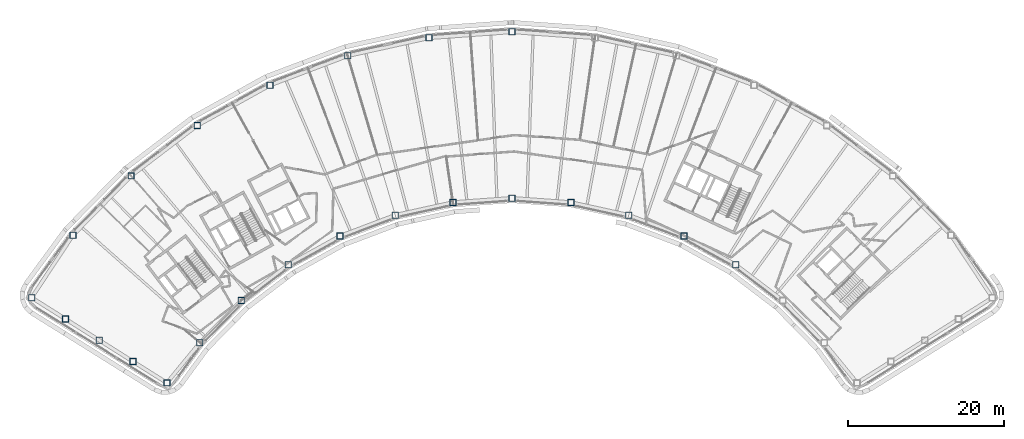
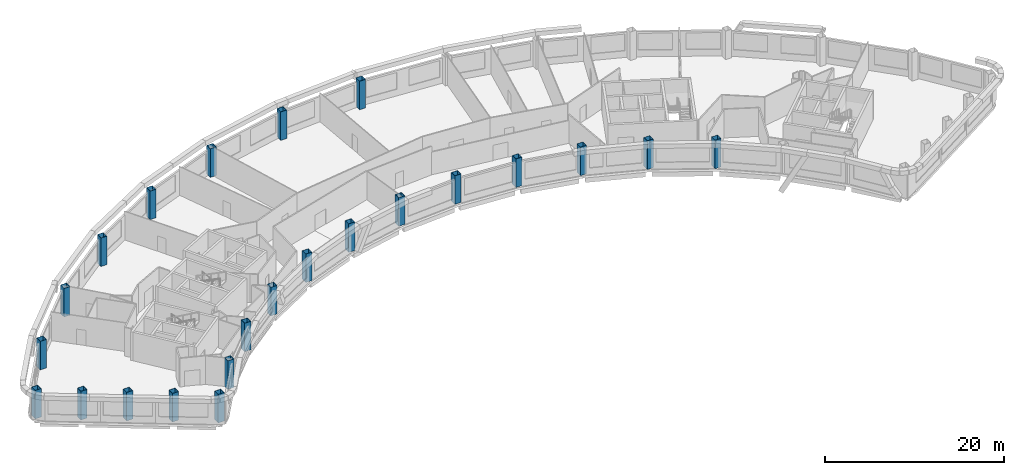
# One storey, part 1 of 13: 23 columns.
"""IFC4 building model written with IfcOpenShell, lengths in metres."""

from ifc_helpers import new_model, si_unit, direction, frame, origin, origin_2d, place, context, subcontext, project, spatial, hollow_rectangle, extrude, material, material_profile, profile_set, type_object, element, save


model = new_model("IFC4")

# Units and contexts
model_context = context("Model", 3, precision=1e-05, world=origin(), true_north=direction((0.0, 1.0)))
body_context = subcontext(model_context, "Body", "Model", "MODEL_VIEW")
ifc_project = project(units=[si_unit("LENGTHUNIT", "METRE"), si_unit("AREAUNIT", "SQUARE_METRE"), si_unit("VOLUMEUNIT", "CUBIC_METRE"), si_unit("PLANEANGLEUNIT", "RADIAN"), si_unit("MASSUNIT", "GRAM", prefix="KILO")], contexts=[model_context])

# Site, building, storey
site_placement = place(None, origin())
site = spatial("IfcSite", under=ifc_project, at=site_placement, CompositionType="ELEMENT")
building_placement = place(site_placement, origin())
building = spatial("IfcBuilding", under=site, at=building_placement, Name="Tuul Gate Civic Tower", CompositionType="ELEMENT")
storey_placement = place(building_placement, frame((0.0, 0.0, 230.5)))
storey = spatial("IfcBuildingStorey", under=building, at=storey_placement, Name="Level 52", CompositionType="ELEMENT", Elevation=230.5)

# Columns
ifc_material = material(Name="Steel S355", Category="steel")
ifc_material_profile = material_profile(ifc_material, hollow_rectangle(XDim=0.800048828125, YDim=0.800048828125, WallThickness=0.031982421875, at=origin_2d()), Name="BOX800x800x32")
ifc_profile_set = profile_set([ifc_material_profile], Name="Steel S355")
column_type = type_object("IfcColumnType", Name="STR-COLUMN-BOX800x800x32", PredefinedType="COLUMN", material=ifc_profile_set)
for number, where, z_axis, x_axis, name in (
    (1, (5.93994140625, 18.56494140625, 0.0), (0.0, 0.0, 1.0), (1.0, 0.0, 0.0), "Column"),
    (2, (-4.7099609375, 17.7939453125, 0.0), (0.0, 0.0, 1.0), (1.0, 0.0, 0.0), "Column"),
    (3, (-15.136962890625, 15.49609375, 0.0), (0.0, 0.0, 1.0), (1.0, 0.0, 0.0), "Column"),
    (4, (-25.1240234375, 11.718994140625, 0.0), (0.0, 0.0, 1.0), (1.0, 0.0, 0.0), "Column"),
    (5, (-34.462890625, 6.54296875, 0.0), (0.0, 0.0, 1.0), (1.0, 0.0, 0.0), "Column"),
    (6, (-42.9580078125, 0.074951171875, 0.0), (0.0, 0.0, 1.0), (1.0, 0.0, 0.0), "Column"),
    (7, (-50.431884765625, -7.550048828125, 0.0), (0.0, 0.0, 1.0), (1.0, 0.0, 0.0), "Column"),
    (8, (-55.73095703125, -15.56298828125, 0.0), (0.0, 0.0, 1.0), (1.0, 0.0, 0.0), "Column"),
    (9, (-51.388916015625, -18.297119140625, 0.0), (0.0, 0.0, 1.0), (1.0, 0.0, 0.0), "Column"),
    (10, (-47.0458984375, -21.031982421875, 0.0), (0.0, 0.0, 1.0), (1.0, 0.0, 0.0), "Column"),
    (11, (-42.7041015625, -23.76708984375, 0.0), (0.0, 0.0, 1.0), (1.0, 0.0, 0.0), "Column"),
    (12, (-38.361083984375, -26.5009765625, 0.0), (0.0, 0.0, 1.0), (1.0, 0.0, 0.0), "Column"),
    (13, (-34.14111328125, -21.35888671875, 0.0), (0.0, 0.0, 1.0), (1.0, 0.0, 0.0), "Column"),
    (14, (-28.826904296875, -15.93798828125, 0.0), (0.0, 0.0, 1.0), (1.0, 0.0, 0.0), "Column"),
    (15, (-22.787109375, -11.339111328125, 0.0), (0.0, 0.0, 1.0), (1.0, 0.0, 0.0), "Column"),
    (16, (-16.14697265625, -7.657958984375, 0.0), (0.0, 0.0, 1.0), (1.0, 0.0, 0.0), "Column"),
    (17, (-9.0458984375, -4.972900390625, 0.0), (0.0, 0.0, 1.0), (1.0, 0.0, 0.0), "Column"),
    (18, (-1.632080078125, -3.339111328125, 0.0), (0.0, 0.0, 1.0), (1.0, 0.0, 0.0), "Column"),
    (19, (5.93994140625, -2.7900390625, 0.0), (0.0, 0.0, 1.0), (1.0, 0.0, 0.0), "Column"),
    (20, (13.511962890625, -3.339111328125, 0.0), (0.0, 0.0, 1.0), (1.0, 0.0, 0.0), "Column"),
    (21, (20.925048828125, -4.972900390625, 0.0), (0.0, 0.0, 1.0), (1.0, 0.0, 0.0), "Column"),
    (22, (28.02587890625, -7.657958984375, 0.0), (0.0, 0.0, 1.0), (1.0, 0.0, 0.0), "Column"),
    (23, (34.666015625, -11.339111328125, 0.0), (0.0, 0.0, 1.0), (1.0, 0.0, 0.0), "Column"),
):
    element("IfcColumn", number, at=place(storey_placement, frame(where, z_axis=z_axis, x_axis=x_axis)), inside=storey, type_object=column_type, Name=name, PredefinedType="COLUMN", context=body_context, shape_type="SweptSolid", body=[
        extrude(hollow_rectangle(XDim=0.800048828125, YDim=0.800048828125, WallThickness=0.031982421875, at=origin_2d()), origin(), (0.0, 0.0, 1.0), 3.89990234375),
    ])

save(model, "model.ifc")
